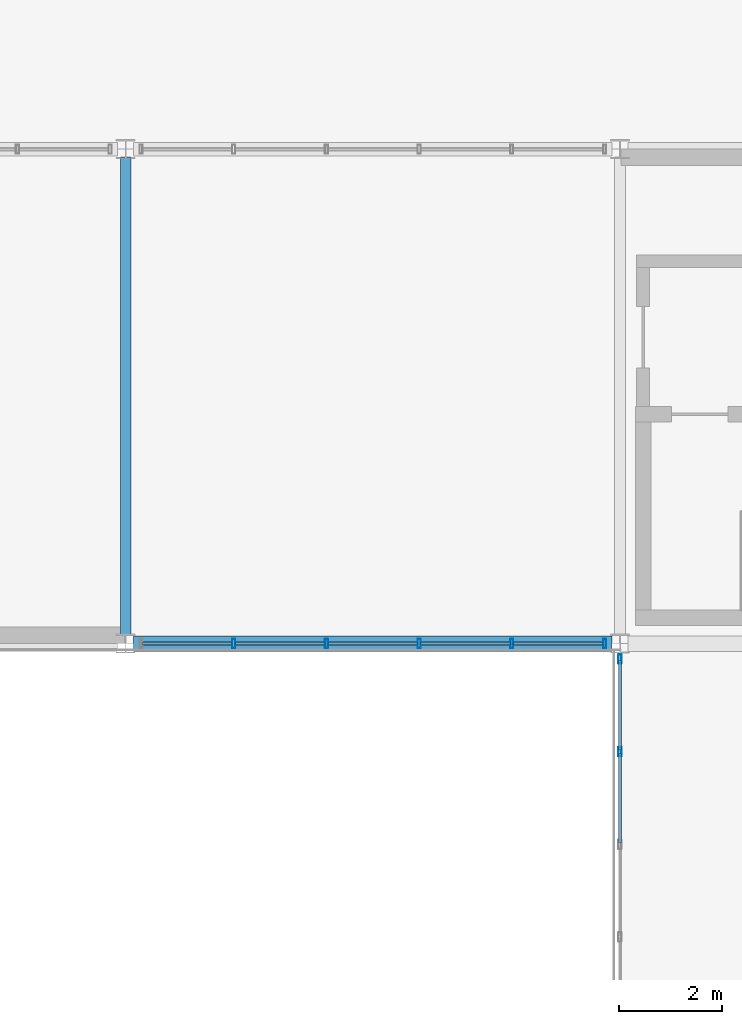
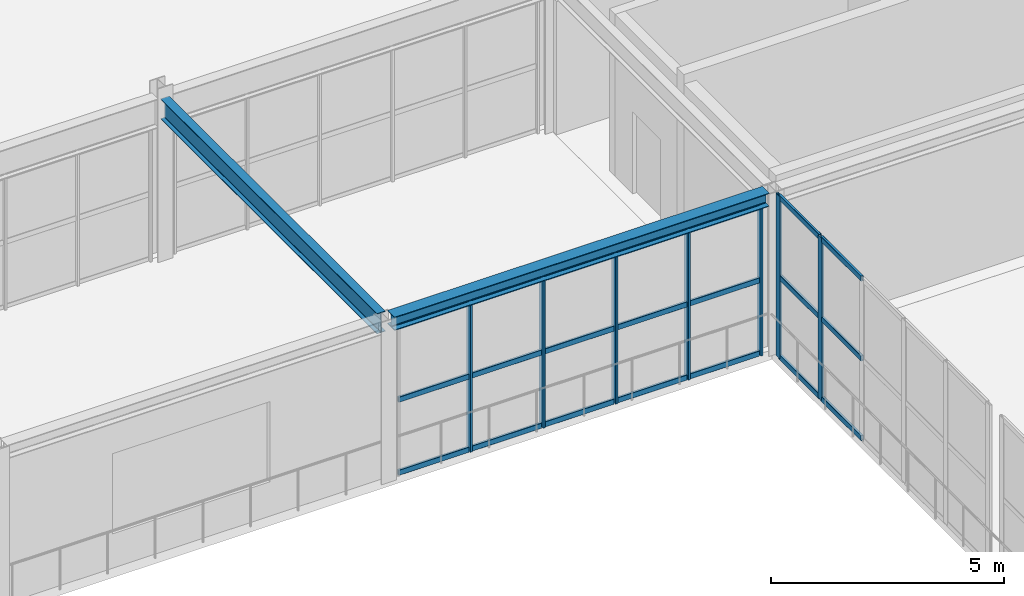
# One storey, part 101 of 170: 28 members, 2 beams, 2 elements without a shape of their own.
"""IFC4 building model written with IfcOpenShell, lengths in metres."""

from ifc_helpers import new_model, si_unit, direction, frame, origin, origin_2d, place, context, subcontext, project, spatial, hollow_rectangle, i_section, extrude, material, material_profile, profile_set, type_object, element, aggregate, save


model = new_model("IFC4")

# Units and contexts
model_context = context("Model", 3, precision=1e-05, world=origin(), true_north=direction((0.0, 1.0)))
body_context = subcontext(model_context, "Body", "Model", "MODEL_VIEW")
ifc_project = project(units=[si_unit("LENGTHUNIT", "METRE"), si_unit("AREAUNIT", "SQUARE_METRE"), si_unit("VOLUMEUNIT", "CUBIC_METRE"), si_unit("PLANEANGLEUNIT", "RADIAN"), si_unit("MASSUNIT", "GRAM", prefix="KILO")], contexts=[model_context])

# Site, building, storey
site_placement = place(None, origin())
site = spatial("IfcSite", under=ifc_project, at=site_placement, CompositionType="ELEMENT")
building_placement = place(site_placement, origin())
building = spatial("IfcBuilding", under=site, at=building_placement, Name="Coralgate Yard Interchange", CompositionType="ELEMENT")
storey_placement = place(building_placement, frame((0.0, 0.0, 6.0)))
storey = spatial("IfcBuildingStorey", under=building, at=storey_placement, Name="L01", CompositionType="ELEMENT", Elevation=6.0)

# Beams
ifc_material_1 = material(Name="Structural steel S355J2", Category="steel")
ifc_material_profile_1 = material_profile(ifc_material_1, i_section(OverallWidth=0.209228515625, OverallDepth=0.533203125, WebThickness=0.010009765625, FlangeThickness=0.015625, FilletRadius=0.0126953125, at=origin_2d()), Name="UB 533x210x92")
ifc_profile_set_1 = profile_set([ifc_material_profile_1], Name="Structural steel S355J2")
beam_type_1 = type_object("IfcBeamType", Name="BM-SB-1", PredefinedType="BEAM", material=ifc_profile_set_1)
beam_1_placement = place(storey_placement, frame((115.199951171875, 67.35400390625, 3.9833984375), z_axis=(0.0, 1.0, 0.0), x_axis=(-1.0, 0.0, 0.0)))
element("IfcBeam", 1, at=beam_1_placement, inside=storey, type_object=beam_type_1, Name="L01 primary grid girder X12 Y7-8", PredefinedType="BEAM", context=body_context, shape_type="SweptSolid", body=[
    extrude(i_section(OverallWidth=0.209228515625, OverallDepth=0.533203125, WebThickness=0.010009765625, FlangeThickness=0.015625, FilletRadius=0.0126953125, at=origin_2d()), origin(), (0.0, 0.0, 1.0), 9.2919921875),
])
ifc_material_profile_2 = material_profile(ifc_material_1, i_section(OverallWidth=0.300048828125, OverallDepth=0.35009765625, WebThickness=0.010009765625, FlangeThickness=0.017578125, FilletRadius=0.027099609375, at=origin_2d()), Name="HEA 360")
ifc_profile_set_2 = profile_set([ifc_material_profile_2], Name="Structural steel S355J2")
beam_type_2 = type_object("IfcBeamType", Name="BM-SP-1", PredefinedType="SPANDREL", material=ifc_profile_set_2)
beam_2_placement = place(storey_placement, frame((115.356201171875, 67.199951171875, 4.074951171875), z_axis=(1.0, 0.0, 0.0), x_axis=(0.0, 1.0, 0.0)))
element("IfcBeam", 2, at=beam_2_placement, inside=storey, type_object=beam_type_2, Name="L01 primary grid beam Y7 X12-13", PredefinedType="SPANDREL", context=body_context, shape_type="SweptSolid", body=[
    extrude(i_section(OverallWidth=0.300048828125, OverallDepth=0.35009765625, WebThickness=0.010009765625, FlangeThickness=0.017578125, FilletRadius=0.027099609375, at=origin_2d()), origin(), (0.0, 0.0, 1.0), 9.28759765625),
])

# Curtain wall, members
ifc_material_2 = material(Name="Anodised coastal aluminium and solar-control low-E glass", Category="aluminium")
curtain_wall_type = type_object("IfcCurtainWallType", Name="CW-CW-L01-A", PredefinedType="NOTDEFINED", material=ifc_material_2)
curtain_wall_1_placement = place(storey_placement, origin())
curtain_wall_1 = element("IfcCurtainWall", 3, at=curtain_wall_1_placement, inside=storey, type_object=curtain_wall_type, Name="L01 unitised curtain wall CW-L01-S-12-07", PredefinedType="NOTDEFINED")
ifc_material_3 = material(Name="Anodised coastal aluminium 6063-T6", Category="aluminium")
ifc_material_profile_3 = material_profile(ifc_material_3, hollow_rectangle(XDim=0.06005859375, YDim=0.179931640625, WallThickness=0.00390625, InnerFilletRadius=0.00390625, OuterFilletRadius=0.008056640625, at=origin_2d()), Name="ALU 60x180x4")
ifc_profile_set_3 = profile_set([ifc_material_profile_3], Name="Anodised coastal aluminium 6063-T6")
member_type_1 = type_object("IfcMemberType", Name="MB-MUL-180", PredefinedType="MULLION", material=ifc_profile_set_3)
member_1_placement = place(storey_placement, frame((124.5, 67.199951171875, 0.0), z_axis=(0.0, 0.0, 1.0), x_axis=(1.0, 0.0, 0.0)))
member_1 = element("IfcMember", 4, at=member_1_placement, type_object=member_type_1, Name="CW-L01-S-12-07 vertical mullion 1", PredefinedType="MULLION", context=body_context, shape_type="SweptSolid", body=[
    extrude(hollow_rectangle(XDim=0.06005859375, YDim=0.179931640625, WallThickness=0.00390625, InnerFilletRadius=0.00390625, OuterFilletRadius=0.008056640625, at=origin_2d()), origin(), (0.0, 0.0, 1.0), 3.89990234375),
])
member_2_placement = place(storey_placement, frame((122.699951171875, 67.199951171875, 0.0), z_axis=(0.0, 0.0, 1.0), x_axis=(1.0, 0.0, 0.0)))
member_2 = element("IfcMember", 5, at=member_2_placement, type_object=member_type_1, Name="CW-L01-S-12-07 vertical mullion 2", PredefinedType="MULLION", context=body_context, shape_type="SweptSolid", body=[
    extrude(hollow_rectangle(XDim=0.06005859375, YDim=0.179931640625, WallThickness=0.00390625, InnerFilletRadius=0.00390625, OuterFilletRadius=0.008056640625, at=origin_2d()), origin(), (0.0, 0.0, 1.0), 3.89990234375),
])
member_3_placement = place(storey_placement, frame((120.89990234375, 67.199951171875, 0.0), z_axis=(0.0, 0.0, 1.0), x_axis=(1.0, 0.0, 0.0)))
member_3 = element("IfcMember", 6, at=member_3_placement, type_object=member_type_1, Name="CW-L01-S-12-07 vertical mullion 3", PredefinedType="MULLION", context=body_context, shape_type="SweptSolid", body=[
    extrude(hollow_rectangle(XDim=0.06005859375, YDim=0.179931640625, WallThickness=0.00390625, InnerFilletRadius=0.00390625, OuterFilletRadius=0.008056640625, at=origin_2d()), origin(), (0.0, 0.0, 1.0), 3.89990234375),
])
member_4_placement = place(storey_placement, frame((119.10009765625, 67.199951171875, 0.0), z_axis=(0.0, 0.0, 1.0), x_axis=(1.0, 0.0, 0.0)))
member_4 = element("IfcMember", 7, at=member_4_placement, type_object=member_type_1, Name="CW-L01-S-12-07 vertical mullion 4", PredefinedType="MULLION", context=body_context, shape_type="SweptSolid", body=[
    extrude(hollow_rectangle(XDim=0.06005859375, YDim=0.179931640625, WallThickness=0.00390625, InnerFilletRadius=0.00390625, OuterFilletRadius=0.008056640625, at=origin_2d()), origin(), (0.0, 0.0, 1.0), 3.89990234375),
])
member_5_placement = place(storey_placement, frame((117.300048828125, 67.199951171875, 0.0), z_axis=(0.0, 0.0, 1.0), x_axis=(1.0, 0.0, 0.0)))
member_5 = element("IfcMember", 8, at=member_5_placement, type_object=member_type_1, Name="CW-L01-S-12-07 vertical mullion 5", PredefinedType="MULLION", context=body_context, shape_type="SweptSolid", body=[
    extrude(hollow_rectangle(XDim=0.06005859375, YDim=0.179931640625, WallThickness=0.00390625, InnerFilletRadius=0.00390625, OuterFilletRadius=0.008056640625, at=origin_2d()), origin(), (0.0, 0.0, 1.0), 3.89990234375),
])

curtain_wall_2_placement = place(storey_placement, origin())
curtain_wall_2 = element("IfcCurtainWall", 9, at=curtain_wall_2_placement, inside=storey, type_object=curtain_wall_type, Name="L01 unitised curtain wall CW-L01-W-13-06", PredefinedType="NOTDEFINED")
member_6_placement = place(storey_placement, frame((124.800048828125, 65.10009765625, 0.0), z_axis=(0.0, 0.0, 1.0), x_axis=(1.0, 0.0, 0.0)))
member_6 = element("IfcMember", 10, at=member_6_placement, type_object=member_type_1, Name="CW-L01-W-13-06 vertical mullion 5", PredefinedType="MULLION", context=body_context, shape_type="SweptSolid", body=[
    extrude(hollow_rectangle(XDim=0.06005859375, YDim=0.179931640625, WallThickness=0.00390625, InnerFilletRadius=0.00390625, OuterFilletRadius=0.008056640625, at=origin_2d()), origin(), (0.0, 0.0, 1.0), 4.25),
])
member_7_placement = place(storey_placement, frame((124.800048828125, 66.89990234375, 0.0), z_axis=(0.0, 0.0, 1.0), x_axis=(1.0, 0.0, 0.0)))
member_7 = element("IfcMember", 11, at=member_7_placement, type_object=member_type_1, Name="CW-L01-W-13-06 vertical mullion 6", PredefinedType="MULLION", context=body_context, shape_type="SweptSolid", body=[
    extrude(hollow_rectangle(XDim=0.06005859375, YDim=0.179931640625, WallThickness=0.00390625, InnerFilletRadius=0.00390625, OuterFilletRadius=0.008056640625, at=origin_2d()), origin(), (0.0, 0.0, 1.0), 4.25),
])

# Member
ifc_material_profile_4 = material_profile(ifc_material_3, hollow_rectangle(XDim=0.06005859375, YDim=0.139892578125, WallThickness=0.00341796875, InnerFilletRadius=0.00341796875, OuterFilletRadius=0.007080078125, at=origin_2d()), Name="ALU 60x140x3.5")
ifc_profile_set_4 = profile_set([ifc_material_profile_4], Name="Anodised coastal aluminium 6063-T6")
member_type_2 = type_object("IfcMemberType", Name="MB-TRN-140", PredefinedType="USERDEFINED", material=ifc_profile_set_4)
member_8_placement = place(storey_placement, frame((124.469970703125, 67.199951171875, 0.034912109375), z_axis=(-1.0, 0.0, 0.0), x_axis=(0.0, -1.0, 0.0)))
member_8 = element("IfcMember", 12, at=member_8_placement, type_object=member_type_2, Name="CW-L01-S-12-07 horizontal transom 1-1", ObjectType="TRANSOM", PredefinedType="USERDEFINED", context=body_context, shape_type="SweptSolid", body=[
    extrude(hollow_rectangle(XDim=0.06005859375, YDim=0.139892578125, WallThickness=0.00341796875, InnerFilletRadius=0.00341796875, OuterFilletRadius=0.007080078125, at=origin_2d()), origin(), (0.0, 0.0, 1.0), 1.739990234375),
])

member_9_placement = place(storey_placement, frame((124.469970703125, 67.199951171875, 1.949951171875), z_axis=(-1.0, 0.0, 0.0), x_axis=(0.0, -1.0, 0.0)))
member_9 = element("IfcMember", 13, at=member_9_placement, type_object=member_type_2, Name="CW-L01-S-12-07 horizontal transom 1-2", ObjectType="TRANSOM", PredefinedType="USERDEFINED", context=body_context, shape_type="SweptSolid", body=[
    extrude(hollow_rectangle(XDim=0.06005859375, YDim=0.139892578125, WallThickness=0.00341796875, InnerFilletRadius=0.00341796875, OuterFilletRadius=0.007080078125, at=origin_2d()), origin(), (0.0, 0.0, 1.0), 1.739990234375),
])

member_10_placement = place(storey_placement, frame((124.469970703125, 67.199951171875, 3.864990234375), z_axis=(-1.0, 0.0, 0.0), x_axis=(0.0, -1.0, 0.0)))
member_10 = element("IfcMember", 14, at=member_10_placement, type_object=member_type_2, Name="CW-L01-S-12-07 horizontal transom 1-3", ObjectType="TRANSOM", PredefinedType="USERDEFINED", context=body_context, shape_type="SweptSolid", body=[
    extrude(hollow_rectangle(XDim=0.06005859375, YDim=0.139892578125, WallThickness=0.00341796875, InnerFilletRadius=0.00341796875, OuterFilletRadius=0.007080078125, at=origin_2d()), origin(), (0.0, 0.0, 1.0), 1.739990234375),
])

member_11_placement = place(storey_placement, frame((122.669921875, 67.199951171875, 0.034912109375), z_axis=(-1.0, 0.0, 0.0), x_axis=(0.0, -1.0, 0.0)))
member_11 = element("IfcMember", 15, at=member_11_placement, type_object=member_type_2, Name="CW-L01-S-12-07 horizontal transom 2-1", ObjectType="TRANSOM", PredefinedType="USERDEFINED", context=body_context, shape_type="SweptSolid", body=[
    extrude(hollow_rectangle(XDim=0.06005859375, YDim=0.139892578125, WallThickness=0.00341796875, InnerFilletRadius=0.00341796875, OuterFilletRadius=0.007080078125, at=origin_2d()), origin(), (0.0, 0.0, 1.0), 1.739990234375),
])

member_12_placement = place(storey_placement, frame((122.669921875, 67.199951171875, 1.949951171875), z_axis=(-1.0, 0.0, 0.0), x_axis=(0.0, -1.0, 0.0)))
member_12 = element("IfcMember", 16, at=member_12_placement, type_object=member_type_2, Name="CW-L01-S-12-07 horizontal transom 2-2", ObjectType="TRANSOM", PredefinedType="USERDEFINED", context=body_context, shape_type="SweptSolid", body=[
    extrude(hollow_rectangle(XDim=0.06005859375, YDim=0.139892578125, WallThickness=0.00341796875, InnerFilletRadius=0.00341796875, OuterFilletRadius=0.007080078125, at=origin_2d()), origin(), (0.0, 0.0, 1.0), 1.739990234375),
])

member_13_placement = place(storey_placement, frame((122.669921875, 67.199951171875, 3.864990234375), z_axis=(-1.0, 0.0, 0.0), x_axis=(0.0, -1.0, 0.0)))
member_13 = element("IfcMember", 17, at=member_13_placement, type_object=member_type_2, Name="CW-L01-S-12-07 horizontal transom 2-3", ObjectType="TRANSOM", PredefinedType="USERDEFINED", context=body_context, shape_type="SweptSolid", body=[
    extrude(hollow_rectangle(XDim=0.06005859375, YDim=0.139892578125, WallThickness=0.00341796875, InnerFilletRadius=0.00341796875, OuterFilletRadius=0.007080078125, at=origin_2d()), origin(), (0.0, 0.0, 1.0), 1.739990234375),
])

member_14_placement = place(storey_placement, frame((120.8701171875, 67.199951171875, 0.034912109375), z_axis=(-1.0, 0.0, 0.0), x_axis=(0.0, -1.0, 0.0)))
member_14 = element("IfcMember", 18, at=member_14_placement, type_object=member_type_2, Name="CW-L01-S-12-07 horizontal transom 3-1", ObjectType="TRANSOM", PredefinedType="USERDEFINED", context=body_context, shape_type="SweptSolid", body=[
    extrude(hollow_rectangle(XDim=0.06005859375, YDim=0.139892578125, WallThickness=0.00341796875, InnerFilletRadius=0.00341796875, OuterFilletRadius=0.007080078125, at=origin_2d()), origin(), (0.0, 0.0, 1.0), 1.740234375),
])

member_15_placement = place(storey_placement, frame((120.8701171875, 67.199951171875, 1.949951171875), z_axis=(-1.0, 0.0, 0.0), x_axis=(0.0, -1.0, 0.0)))
member_15 = element("IfcMember", 19, at=member_15_placement, type_object=member_type_2, Name="CW-L01-S-12-07 horizontal transom 3-2", ObjectType="TRANSOM", PredefinedType="USERDEFINED", context=body_context, shape_type="SweptSolid", body=[
    extrude(hollow_rectangle(XDim=0.06005859375, YDim=0.139892578125, WallThickness=0.00341796875, InnerFilletRadius=0.00341796875, OuterFilletRadius=0.007080078125, at=origin_2d()), origin(), (0.0, 0.0, 1.0), 1.740234375),
])

member_16_placement = place(storey_placement, frame((120.8701171875, 67.199951171875, 3.864990234375), z_axis=(-1.0, 0.0, 0.0), x_axis=(0.0, -1.0, 0.0)))
member_16 = element("IfcMember", 20, at=member_16_placement, type_object=member_type_2, Name="CW-L01-S-12-07 horizontal transom 3-3", ObjectType="TRANSOM", PredefinedType="USERDEFINED", context=body_context, shape_type="SweptSolid", body=[
    extrude(hollow_rectangle(XDim=0.06005859375, YDim=0.139892578125, WallThickness=0.00341796875, InnerFilletRadius=0.00341796875, OuterFilletRadius=0.007080078125, at=origin_2d()), origin(), (0.0, 0.0, 1.0), 1.740234375),
])

member_17_placement = place(storey_placement, frame((119.070068359375, 67.199951171875, 0.034912109375), z_axis=(-1.0, 0.0, 0.0), x_axis=(0.0, -1.0, 0.0)))
member_17 = element("IfcMember", 21, at=member_17_placement, type_object=member_type_2, Name="CW-L01-S-12-07 horizontal transom 4-1", ObjectType="TRANSOM", PredefinedType="USERDEFINED", context=body_context, shape_type="SweptSolid", body=[
    extrude(hollow_rectangle(XDim=0.06005859375, YDim=0.139892578125, WallThickness=0.00341796875, InnerFilletRadius=0.00341796875, OuterFilletRadius=0.007080078125, at=origin_2d()), origin(), (0.0, 0.0, 1.0), 1.739990234375),
])

member_18_placement = place(storey_placement, frame((119.070068359375, 67.199951171875, 1.949951171875), z_axis=(-1.0, 0.0, 0.0), x_axis=(0.0, -1.0, 0.0)))
member_18 = element("IfcMember", 22, at=member_18_placement, type_object=member_type_2, Name="CW-L01-S-12-07 horizontal transom 4-2", ObjectType="TRANSOM", PredefinedType="USERDEFINED", context=body_context, shape_type="SweptSolid", body=[
    extrude(hollow_rectangle(XDim=0.06005859375, YDim=0.139892578125, WallThickness=0.00341796875, InnerFilletRadius=0.00341796875, OuterFilletRadius=0.007080078125, at=origin_2d()), origin(), (0.0, 0.0, 1.0), 1.739990234375),
])

member_19_placement = place(storey_placement, frame((119.070068359375, 67.199951171875, 3.864990234375), z_axis=(-1.0, 0.0, 0.0), x_axis=(0.0, -1.0, 0.0)))
member_19 = element("IfcMember", 23, at=member_19_placement, type_object=member_type_2, Name="CW-L01-S-12-07 horizontal transom 4-3", ObjectType="TRANSOM", PredefinedType="USERDEFINED", context=body_context, shape_type="SweptSolid", body=[
    extrude(hollow_rectangle(XDim=0.06005859375, YDim=0.139892578125, WallThickness=0.00341796875, InnerFilletRadius=0.00341796875, OuterFilletRadius=0.007080078125, at=origin_2d()), origin(), (0.0, 0.0, 1.0), 1.739990234375),
])

member_20_placement = place(storey_placement, frame((117.27001953125, 67.199951171875, 0.034912109375), z_axis=(-1.0, 0.0, 0.0), x_axis=(0.0, -1.0, 0.0)))
member_20 = element("IfcMember", 24, at=member_20_placement, type_object=member_type_2, Name="CW-L01-S-12-07 horizontal transom 5-1", ObjectType="TRANSOM", PredefinedType="USERDEFINED", context=body_context, shape_type="SweptSolid", body=[
    extrude(hollow_rectangle(XDim=0.06005859375, YDim=0.139892578125, WallThickness=0.00341796875, InnerFilletRadius=0.00341796875, OuterFilletRadius=0.007080078125, at=origin_2d()), origin(), (0.0, 0.0, 1.0), 1.739990234375),
])

member_21_placement = place(storey_placement, frame((117.27001953125, 67.199951171875, 1.949951171875), z_axis=(-1.0, 0.0, 0.0), x_axis=(0.0, -1.0, 0.0)))
member_21 = element("IfcMember", 25, at=member_21_placement, type_object=member_type_2, Name="CW-L01-S-12-07 horizontal transom 5-2", ObjectType="TRANSOM", PredefinedType="USERDEFINED", context=body_context, shape_type="SweptSolid", body=[
    extrude(hollow_rectangle(XDim=0.06005859375, YDim=0.139892578125, WallThickness=0.00341796875, InnerFilletRadius=0.00341796875, OuterFilletRadius=0.007080078125, at=origin_2d()), origin(), (0.0, 0.0, 1.0), 1.739990234375),
])

member_22_placement = place(storey_placement, frame((117.27001953125, 67.199951171875, 3.864990234375), z_axis=(-1.0, 0.0, 0.0), x_axis=(0.0, -1.0, 0.0)))
member_22 = element("IfcMember", 26, at=member_22_placement, type_object=member_type_2, Name="CW-L01-S-12-07 horizontal transom 5-3", ObjectType="TRANSOM", PredefinedType="USERDEFINED", context=body_context, shape_type="SweptSolid", body=[
    extrude(hollow_rectangle(XDim=0.06005859375, YDim=0.139892578125, WallThickness=0.00341796875, InnerFilletRadius=0.00341796875, OuterFilletRadius=0.007080078125, at=origin_2d()), origin(), (0.0, 0.0, 1.0), 1.739990234375),
])

aggregate(curtain_wall_1, [member_1, member_2, member_3, member_4, member_5, member_8, member_9, member_10, member_11, member_12, member_13, member_14, member_15, member_16, member_17, member_18, member_19, member_20, member_21, member_22])

member_23_placement = place(storey_placement, frame((124.800048828125, 63.330078125, 0.034912109375), z_axis=(0.0, 1.0, 0.0), x_axis=(-1.0, 0.0, 0.0)))
member_23 = element("IfcMember", 27, at=member_23_placement, type_object=member_type_2, Name="CW-L01-W-13-06 horizontal transom 4-1", ObjectType="TRANSOM", PredefinedType="USERDEFINED", context=body_context, shape_type="SweptSolid", body=[
    extrude(hollow_rectangle(XDim=0.06005859375, YDim=0.139892578125, WallThickness=0.00341796875, InnerFilletRadius=0.00341796875, OuterFilletRadius=0.007080078125, at=origin_2d()), origin(), (0.0, 0.0, 1.0), 1.739990234375),
])

member_24_placement = place(storey_placement, frame((124.800048828125, 63.330078125, 2.125), z_axis=(0.0, 1.0, 0.0), x_axis=(-1.0, 0.0, 0.0)))
member_24 = element("IfcMember", 28, at=member_24_placement, type_object=member_type_2, Name="CW-L01-W-13-06 horizontal transom 4-2", ObjectType="TRANSOM", PredefinedType="USERDEFINED", context=body_context, shape_type="SweptSolid", body=[
    extrude(hollow_rectangle(XDim=0.06005859375, YDim=0.139892578125, WallThickness=0.00341796875, InnerFilletRadius=0.00341796875, OuterFilletRadius=0.007080078125, at=origin_2d()), origin(), (0.0, 0.0, 1.0), 1.739990234375),
])

member_25_placement = place(storey_placement, frame((124.800048828125, 63.330078125, 4.215087890625), z_axis=(0.0, 1.0, 0.0), x_axis=(-1.0, 0.0, 0.0)))
member_25 = element("IfcMember", 29, at=member_25_placement, type_object=member_type_2, Name="CW-L01-W-13-06 horizontal transom 4-3", ObjectType="TRANSOM", PredefinedType="USERDEFINED", context=body_context, shape_type="SweptSolid", body=[
    extrude(hollow_rectangle(XDim=0.06005859375, YDim=0.139892578125, WallThickness=0.00341796875, InnerFilletRadius=0.00341796875, OuterFilletRadius=0.007080078125, at=origin_2d()), origin(), (0.0, 0.0, 1.0), 1.739990234375),
])

member_26_placement = place(storey_placement, frame((124.800048828125, 65.1298828125, 0.034912109375), z_axis=(0.0, 1.0, 0.0), x_axis=(-1.0, 0.0, 0.0)))
member_26 = element("IfcMember", 30, at=member_26_placement, type_object=member_type_2, Name="CW-L01-W-13-06 horizontal transom 5-1", ObjectType="TRANSOM", PredefinedType="USERDEFINED", context=body_context, shape_type="SweptSolid", body=[
    extrude(hollow_rectangle(XDim=0.06005859375, YDim=0.139892578125, WallThickness=0.00341796875, InnerFilletRadius=0.00341796875, OuterFilletRadius=0.007080078125, at=origin_2d()), origin(), (0.0, 0.0, 1.0), 1.740234375),
])

member_27_placement = place(storey_placement, frame((124.800048828125, 65.1298828125, 2.125), z_axis=(0.0, 1.0, 0.0), x_axis=(-1.0, 0.0, 0.0)))
member_27 = element("IfcMember", 31, at=member_27_placement, type_object=member_type_2, Name="CW-L01-W-13-06 horizontal transom 5-2", ObjectType="TRANSOM", PredefinedType="USERDEFINED", context=body_context, shape_type="SweptSolid", body=[
    extrude(hollow_rectangle(XDim=0.06005859375, YDim=0.139892578125, WallThickness=0.00341796875, InnerFilletRadius=0.00341796875, OuterFilletRadius=0.007080078125, at=origin_2d()), origin(), (0.0, 0.0, 1.0), 1.740234375),
])

member_28_placement = place(storey_placement, frame((124.800048828125, 65.1298828125, 4.215087890625), z_axis=(0.0, 1.0, 0.0), x_axis=(-1.0, 0.0, 0.0)))
member_28 = element("IfcMember", 32, at=member_28_placement, type_object=member_type_2, Name="CW-L01-W-13-06 horizontal transom 5-3", ObjectType="TRANSOM", PredefinedType="USERDEFINED", context=body_context, shape_type="SweptSolid", body=[
    extrude(hollow_rectangle(XDim=0.06005859375, YDim=0.139892578125, WallThickness=0.00341796875, InnerFilletRadius=0.00341796875, OuterFilletRadius=0.007080078125, at=origin_2d()), origin(), (0.0, 0.0, 1.0), 1.740234375),
])

aggregate(curtain_wall_2, [member_6, member_7, member_23, member_24, member_25, member_26, member_27, member_28])

save(model, "model.ifc")
